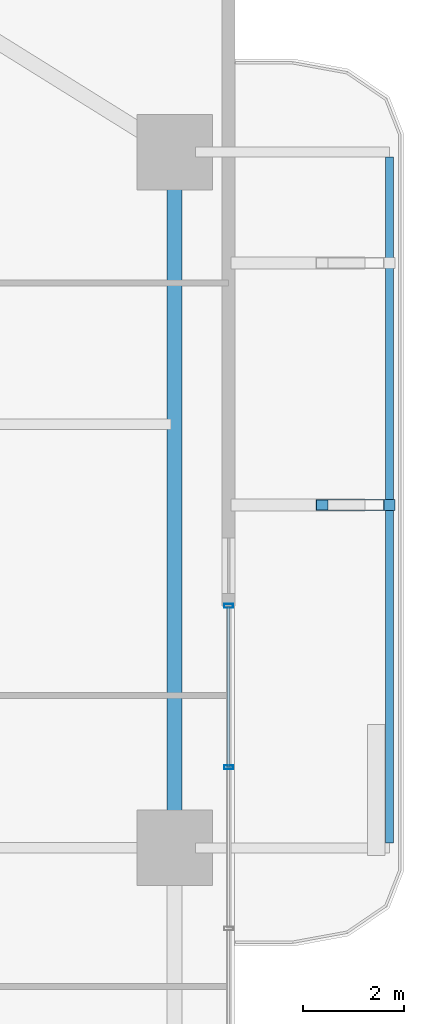
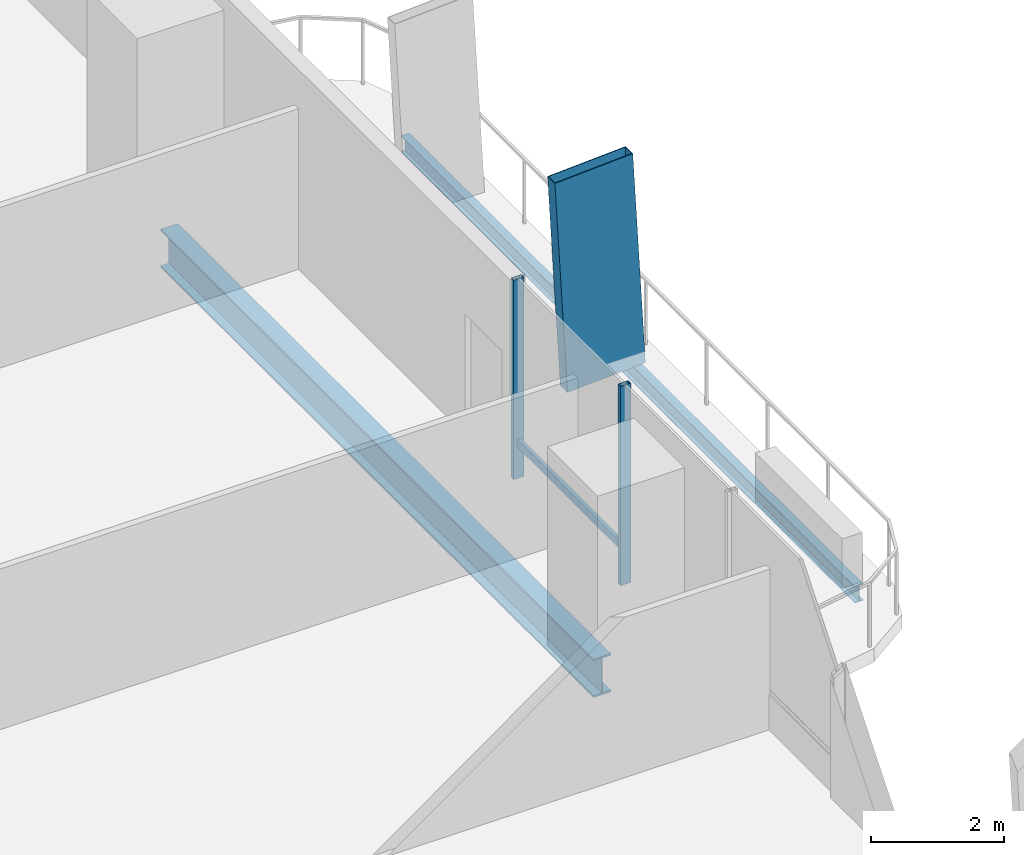
# One storey, part 13 of 24: 4 members, 2 beams, 1 element without a shape of its own.
"""IFC4 building model written with IfcOpenShell, lengths in metres."""

import ifcopenshell
import ifcopenshell.guid

model = None  # the IFC model being written
_history = None  # IfcOwnerHistory: only IFC2X3 demands one
_inside = {}  # id of a spatial element -> (the spatial element, [elements in it])
_under = {}  # id of a project, library or spatial element -> (it, [spatial elements below it])
_declared = {}  # id of a project -> (the project, [libraries it declares])
_typed = {}  # id of a type object -> (the type object, [elements of that type])
_made_of = {}  # id of a material, layer set ... -> (it, [elements and type objects made of it])


def new_model(schema):
    """Start an empty IFC model of exactly this schema.

    Asked for "IFC4X3", IfcOpenShell would pick the latest addendum, in which some entities
    have other attributes; the version numbers below select the first issue.
    IFC2X3 requires an IfcOwnerHistory on every rooted entity: one is made here for all.
    """
    global model, _history
    if schema == "IFC4X3":
        model = ifcopenshell.file(schema_version=(4, 3, 0, 0))
    else:
        model = ifcopenshell.file(schema=schema)
    _inside.clear()
    _under.clear()
    _declared.clear()
    _typed.clear()
    _made_of.clear()
    _history = None
    if model.schema == "IFC2X3":
        org = make("IfcOrganization", Name="unknown")
        user = make(
            "IfcPersonAndOrganization",
            ThePerson=make("IfcPerson", FamilyName="unknown"),
            TheOrganization=org,
        )
        app = make(
            "IfcApplication",
            ApplicationDeveloper=org,
            Version="unknown",
            ApplicationFullName="unknown",
            ApplicationIdentifier="unknown",
        )
        _history = make(
            "IfcOwnerHistory",
            OwningUser=user,
            OwningApplication=app,
            ChangeAction="ADDED",
            CreationDate=0,
        )
    return model


def make(cls, **values):
    """One entity of the class cls with the attributes given. An attribute that is None is left unset."""
    return model.create_entity(
        cls, **{name: value for name, value in values.items() if value is not None}
    )


def rooted(cls, **values):
    """An entity with a GlobalId (a new one), such as an element, a storey or a relation."""
    return make(cls, GlobalId=ifcopenshell.guid.new(), OwnerHistory=_history, **values)


def si_unit(unit_type, name, prefix=None):
    """IfcSIUnit, for example si_unit("LENGTHUNIT", "METRE", prefix="MILLI")."""
    return make("IfcSIUnit", UnitType=unit_type, Prefix=prefix, Name=name)


def assignment(units):
    """IfcUnitAssignment: the units of a project."""
    return None if units is None else make("IfcUnitAssignment", Units=units)


def point(xyz):
    """IfcCartesianPoint."""
    return None if xyz is None else make("IfcCartesianPoint", Coordinates=xyz)


def direction(xyz):
    """IfcDirection."""
    return None if xyz is None else make("IfcDirection", DirectionRatios=xyz)


def frame(location, z_axis=None, x_axis=None):
    """IfcAxis2Placement3D, a coordinate frame: its origin and axes. An axis left out is left unset."""
    return make(
        "IfcAxis2Placement3D",
        Location=point(location),
        Axis=direction(z_axis),
        RefDirection=direction(x_axis),
    )


def frame_2d(location, x_axis=None):
    """IfcAxis2Placement2D, a coordinate frame in the plane: its origin and x axis."""
    return make(
        "IfcAxis2Placement2D", Location=point(location), RefDirection=direction(x_axis)
    )


def origin():
    """The frame at (0, 0, 0) with its axes left unset."""
    return frame((0.0, 0.0, 0.0))


def origin_2d():
    """The frame at (0, 0) in the plane with its x axis left unset."""
    return frame_2d((0.0, 0.0))


def place(relative_to, where):
    """IfcLocalPlacement: puts the frame where relative to a parent placement (None: the world)."""
    return make(
        "IfcLocalPlacement", PlacementRelTo=relative_to, RelativePlacement=where
    )


def context(
    kind, dimensions, precision=None, world=None, true_north=None, identifier=None
):
    """IfcGeometricRepresentationContext, for example the 3D "Model" context."""
    return make(
        "IfcGeometricRepresentationContext",
        ContextIdentifier=identifier,
        ContextType=kind,
        CoordinateSpaceDimension=dimensions,
        Precision=precision,
        WorldCoordinateSystem=world,
        TrueNorth=true_north,
    )


def subcontext(parent, identifier, kind, view, scale=None):
    """IfcGeometricRepresentationSubContext, for example "Body" below "Model"."""
    return make(
        "IfcGeometricRepresentationSubContext",
        ContextIdentifier=identifier,
        ContextType=kind,
        ParentContext=parent,
        TargetScale=scale,
        TargetView=view,
    )


def project(units=None, contexts=None):
    """IfcProject with its units and contexts."""
    return rooted(
        "IfcProject",
        Name="project",
        RepresentationContexts=contexts,
        UnitsInContext=assignment(units),
    )


def spatial(cls, under=None, at=None, **own):
    """A site, building, storey or space (cls), placed at a placement, below another one or the project."""
    s = rooted(cls, ObjectPlacement=at, **own)
    if under is not None:
        _under.setdefault(under.id(), (under, []))[1].append(s)
    return s


def profile(cls, at=None, kind="AREA", **sizes):
    """A parametric profile (cls). Its sizes go by their IFC names, for example OverallWidth=200.0."""
    return make(cls, ProfileType=kind, Position=at, **sizes)


def hollow_rectangle(**sizes):
    """IfcRectangleHollowProfileDef."""
    return profile("IfcRectangleHollowProfileDef", **sizes)


def i_section(**sizes):
    """IfcIShapeProfileDef."""
    return profile("IfcIShapeProfileDef", **sizes)


def extrude(swept, where, along, depth):
    """IfcExtrudedAreaSolid: the profile swept, set in the frame where, extruded along a direction by depth."""
    return make(
        "IfcExtrudedAreaSolid",
        SweptArea=swept,
        Position=where,
        ExtrudedDirection=direction(along),
        Depth=depth,
    )


def shape(context_of_items, identifier, shape_type, items):
    """IfcShapeRepresentation: the items that make up one representation, for example the "Body"."""
    return make(
        "IfcShapeRepresentation",
        ContextOfItems=context_of_items,
        RepresentationIdentifier=identifier,
        RepresentationType=shape_type,
        Items=items,
    )


def material(Name=None, Category=None):
    """IfcMaterial."""
    return make("IfcMaterial", Name=Name, Category=Category)


def layer(
    of_material, thickness, ventilated=None, Name=None, Category=None, Priority=None
):
    """IfcMaterialLayer: one layer of a wall or slab, of a material (None: an air gap)."""
    return make(
        "IfcMaterialLayer",
        Material=of_material,
        LayerThickness=thickness,
        IsVentilated=ventilated,
        Name=Name,
        Category=Category,
        Priority=Priority,
    )


def layer_set(layers, Name=None):
    """IfcMaterialLayerSet."""
    return make("IfcMaterialLayerSet", MaterialLayers=layers, LayerSetName=Name)


def material_profile(
    of_material, cross_section, Name=None, Category=None, Priority=None
):
    """IfcMaterialProfile: a cross section and its material."""
    return make(
        "IfcMaterialProfile",
        Name=Name,
        Material=of_material,
        Profile=cross_section,
        Priority=Priority,
        Category=Category,
    )


def profile_set(profiles, Name=None, composite=None):
    """IfcMaterialProfileSet."""
    return make(
        "IfcMaterialProfileSet",
        Name=Name,
        MaterialProfiles=profiles,
        CompositeProfile=composite,
    )


def made_of(thing, what):
    """Note that an element or type object is made of a material, layer set ...; save() writes the relation."""
    if what is not None:
        _made_of.setdefault(what.id(), (what, []))[1].append(thing)
    return thing


def type_object(cls, material=None, **own):
    """A type object (cls), such as IfcWallType, which elements share."""
    return made_of(rooted(cls, **own), material)


def element(
    cls,
    number,
    at=None,
    inside=None,
    cuts=None,
    type_object=None,
    material=None,
    context=None,
    identifier="Body",
    shape_type=None,
    held_by="IfcProductDefinitionShape",
    body=None,
    shapes=None,
    **own,
):
    """One element of the class cls, such as IfcWall. Its Tag is "e" and its number.

    at: its placement. inside: the storey or other place that contains it. cuts: it is an
    opening in that element (IfcRelVoidsElement). A single representation is given by context,
    identifier, shape_type and body (its items); several are given by shapes. held_by: the class
    of the entity that holds the representations. save() writes the other relations.
    """
    e = rooted(cls, Tag="e%d" % number, ObjectPlacement=at, **own)
    if body is not None:
        shapes = [shape(context, identifier, shape_type, body)]
    if shapes is not None:
        e.Representation = make(held_by, Representations=shapes)
    if inside is not None:
        _inside.setdefault(inside.id(), (inside, []))[1].append(e)
    if cuts is not None:
        rooted(
            "IfcRelVoidsElement", RelatingBuildingElement=cuts, RelatedOpeningElement=e
        )
    if type_object is not None:
        _typed.setdefault(type_object.id(), (type_object, []))[1].append(e)
    return made_of(e, material)


def aggregate(whole, parts):
    """IfcRelAggregates: a whole, such as a stair, and the parts it consists of."""
    return rooted("IfcRelAggregates", RelatingObject=whole, RelatedObjects=parts)


def save(model, path):
    """Write the relations noted so far, then the file.

    IfcRelAggregates (storeys below a building ...), IfcRelContainedInSpatialStructure (elements
    in a storey), IfcRelDefinesByType, IfcRelAssociatesMaterial and IfcRelDeclares: one each for
    every whole, place, type object, material and project.
    """
    for whole, parts in _under.values():
        aggregate(whole, parts)
    for where, things in _inside.values():
        rooted(
            "IfcRelContainedInSpatialStructure",
            RelatedElements=things,
            RelatingStructure=where,
        )
    for kind, things in _typed.values():
        rooted("IfcRelDefinesByType", RelatedObjects=things, RelatingType=kind)
    for what, things in _made_of.values():
        rooted("IfcRelAssociatesMaterial", RelatedObjects=things, RelatingMaterial=what)
    for by, libraries in _declared.values():
        rooted("IfcRelDeclares", RelatingContext=by, RelatedDefinitions=libraries)
    model.write(path)


model = new_model("IFC4")

# Units and contexts
model_context = context("Model", 3, precision=1e-05, world=origin(), true_north=direction((0.0, 1.0)))
body_context = subcontext(model_context, "Body", "Model", "MODEL_VIEW")
ifc_project = project(units=[si_unit("LENGTHUNIT", "METRE"), si_unit("AREAUNIT", "SQUARE_METRE"), si_unit("VOLUMEUNIT", "CUBIC_METRE"), si_unit("PLANEANGLEUNIT", "RADIAN"), si_unit("MASSUNIT", "GRAM", prefix="KILO")], contexts=[model_context])

# Site, building, storey
site_placement = place(None, origin())
site = spatial("IfcSite", under=ifc_project, at=site_placement, CompositionType="ELEMENT")
building_placement = place(site_placement, origin())
building = spatial("IfcBuilding", under=site, at=building_placement, Name="Belovzor Exchange Tower", CompositionType="ELEMENT")
storey_placement = place(building_placement, frame((0.0, 0.0, 49.5)))
storey = spatial("IfcBuildingStorey", under=building, at=storey_placement, Name="L11", CompositionType="ELEMENT", Elevation=49.5)

# Member
ifc_material_1 = material(Name="Extruded Architectural Terracotta on Steel S355 Carrier", Category="masonry")
ifc_material_profile_1 = material_profile(ifc_material_1, hollow_rectangle(XDim=0.219970703125, YDim=1.35009765625, WallThickness=0.013916015625, at=origin_2d()))
ifc_profile_set_1 = profile_set([ifc_material_profile_1], Name="Extruded Architectural Terracotta on Steel S355 Carrier")
member_type_1 = type_object("IfcMemberType", Name="Base Arc Sweeping Terracotta Pylon Fin 1450", PredefinedType="USERDEFINED", material=ifc_profile_set_1)
member_1_placement = place(storey_placement, frame((59.197998046875, 35.60009765625, -0.25), z_axis=(-0.056065425443, 0.0, 0.998427097023), x_axis=(0.0, -1.0, 0.0)))
element("IfcMember", 1, at=member_1_placement, inside=storey, type_object=member_type_1, Name="FIN-TC145 Terracotta Facade Fin L11 E3", ObjectType="FIN", PredefinedType="USERDEFINED", context=body_context, shape_type="SweptSolid", body=[
    extrude(hollow_rectangle(XDim=0.219970703125, YDim=1.35009765625, WallThickness=0.013916015625, at=origin_2d()), origin(), (0.0, 0.0, 1.0), 3.906005859375),
])

# Beam
ifc_material_2 = material(Name="Steel S355", Category="steel")
ifc_material_profile_2 = material_profile(ifc_material_2, i_section(OverallWidth=0.14990234375, OverallDepth=0.300048828125, WebThickness=0.007080078125, FlangeThickness=0.0107421875, at=origin_2d()))
ifc_profile_set_2 = profile_set([ifc_material_profile_2], Name="Steel S355")
beam_type_1 = type_object("IfcBeamType", Name="Planted Balcony Fascia Edge Beam IPE 300", PredefinedType="BEAM", material=ifc_profile_set_2)
beam_1_placement = place(storey_placement, frame((59.762939453125, 28.89990234375, -0.39990234375), z_axis=(0.0, 1.0, 0.0), x_axis=(-1.0, 0.0, 0.0)))
element("IfcBeam", 2, at=beam_1_placement, inside=storey, type_object=beam_type_1, Name="BC-300 Planted Balcony Fascia Edge Beam IPE 300", PredefinedType="BEAM", context=body_context, shape_type="SweptSolid", body=[
    extrude(i_section(OverallWidth=0.14990234375, OverallDepth=0.300048828125, WebThickness=0.007080078125, FlangeThickness=0.0107421875, at=origin_2d()), origin(), (0.0, 0.0, 1.0), 13.60009765625),
])

# Curtain wall, members
ifc_material_3 = material(Name="Anodised Aluminium Framing", Category="aluminium")
ifc_layer = layer(ifc_material_3, 0.179931640625)
ifc_layer_set = layer_set([ifc_layer], Name="Anodised Aluminium Framing")
curtain_wall_type = type_object("IfcCurtainWallType", Name="Recessed Loggia Low-Iron Triple-Glazed Curtain Wall", PredefinedType="NOTDEFINED", material=ifc_layer_set)
curtain_wall_placement = place(storey_placement, origin())
curtain_wall = element("IfcCurtainWall", 3, at=curtain_wall_placement, inside=storey, type_object=curtain_wall_type, Name="CW3 Recessed Loggia Low-Iron Triple-Glazed Curtain Wall L11", PredefinedType="NOTDEFINED")
ifc_material_4 = material(Name="Steel S355", Category="steel")
ifc_material_profile_3 = material_profile(ifc_material_4, hollow_rectangle(XDim=0.074951171875, YDim=0.179931640625, WallThickness=0.0048828125, at=origin_2d()))
ifc_profile_set_3 = profile_set([ifc_material_profile_3], Name="Steel S355")
member_type_2 = type_object("IfcMemberType", Name="Thermally Broken Curtain Wall Mullion 180x75", PredefinedType="MULLION", material=ifc_profile_set_3)
member_2_placement = place(storey_placement, frame((56.570068359375, 33.60009765625, 0.0), z_axis=(0.0, 0.0, 1.0), x_axis=(0.0, -1.0, 0.0)))
member_2 = element("IfcMember", 4, at=member_2_placement, type_object=member_type_2, Name="CW-M180 Curtain Wall Mullion 1", PredefinedType="MULLION", context=body_context, shape_type="SweptSolid", body=[
    extrude(hollow_rectangle(XDim=0.074951171875, YDim=0.179931640625, WallThickness=0.0048828125, at=origin_2d()), origin(), (0.0, 0.0, 1.0), 3.64990234375),
])
member_3_placement = place(storey_placement, frame((56.570068359375, 30.39990234375, 0.0), z_axis=(0.0, 0.0, 1.0), x_axis=(0.0, -1.0, 0.0)))
member_3 = element("IfcMember", 5, at=member_3_placement, type_object=member_type_2, Name="CW-M180 Curtain Wall Mullion 2", PredefinedType="MULLION", context=body_context, shape_type="SweptSolid", body=[
    extrude(hollow_rectangle(XDim=0.074951171875, YDim=0.179931640625, WallThickness=0.0048828125, at=origin_2d()), origin(), (0.0, 0.0, 1.0), 3.64990234375),
])
ifc_material_5 = material(Name="Steel S355", Category="steel")
ifc_material_profile_4 = material_profile(ifc_material_5, hollow_rectangle(XDim=0.06005859375, YDim=0.14990234375, WallThickness=0.00390625, at=origin_2d()))
ifc_profile_set_4 = profile_set([ifc_material_profile_4], Name="Steel S355")
member_type_3 = type_object("IfcMemberType", Name="Thermally Broken Curtain Wall Transom 150x60", PredefinedType="USERDEFINED", material=ifc_profile_set_4)
member_4_placement = place(storey_placement, frame((56.570068359375, 33.592041015625, 0.64990234375), z_axis=(0.0, -1.0, 0.0), x_axis=(1.0, 0.0, 0.0)))
member_4 = element("IfcMember", 6, at=member_4_placement, type_object=member_type_3, Name="CW-T150 Curtain Wall Transom 1", ObjectType="TRANSOM", PredefinedType="USERDEFINED", context=body_context, shape_type="SweptSolid", body=[
    extrude(hollow_rectangle(XDim=0.06005859375, YDim=0.14990234375, WallThickness=0.00390625, at=origin_2d()), origin(), (0.0, 0.0, 1.0), 3.18408203125),
])
aggregate(curtain_wall, [member_2, member_3, member_4])

# Beam
ifc_material_6 = material(Name="Steel S355", Category="steel")
ifc_material_profile_5 = material_profile(ifc_material_6, i_section(OverallWidth=0.300048828125, OverallDepth=0.699951171875, WebThickness=0.01708984375, FlangeThickness=0.031982421875, at=origin_2d()))
ifc_profile_set_5 = profile_set([ifc_material_profile_5], Name="Steel S355")
beam_type_2 = type_object("IfcBeamType", Name="Zone 1 Primary Perimeter Girder HEB 700", PredefinedType="BEAM", material=ifc_profile_set_5)
beam_2_placement = place(storey_placement, frame((55.5, 29.212890625, -0.60009765625), z_axis=(0.0, 1.0, 0.0), x_axis=(-1.0, 0.0, 0.0)))
element("IfcBeam", 7, at=beam_2_placement, inside=storey, type_object=beam_type_2, Name="FG-Z1 Zone 1 Primary Perimeter Girder HEB 700", PredefinedType="BEAM", context=body_context, shape_type="SweptSolid", body=[
    extrude(i_section(OverallWidth=0.300048828125, OverallDepth=0.699951171875, WebThickness=0.01708984375, FlangeThickness=0.031982421875, at=origin_2d()), origin(), (0.0, 0.0, 1.0), 12.97509765625),
])

save(model, "model.ifc")
